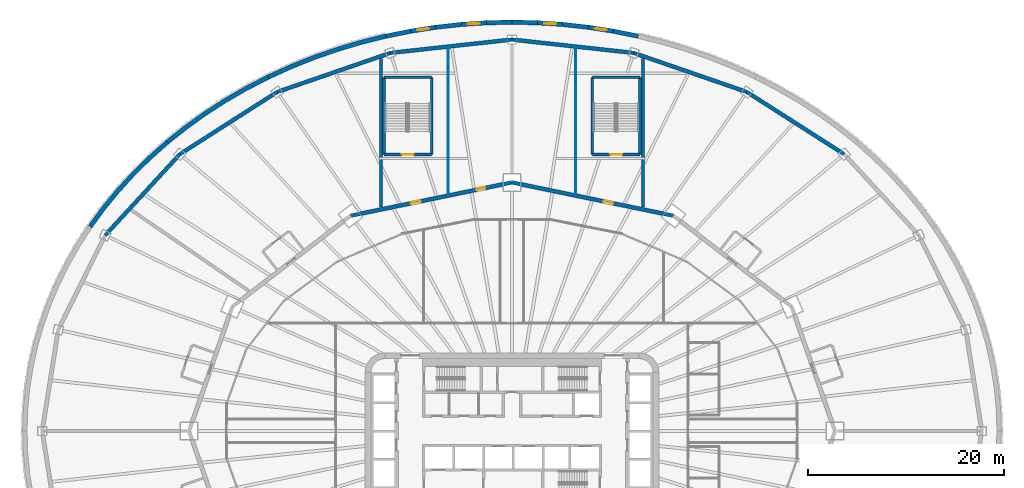
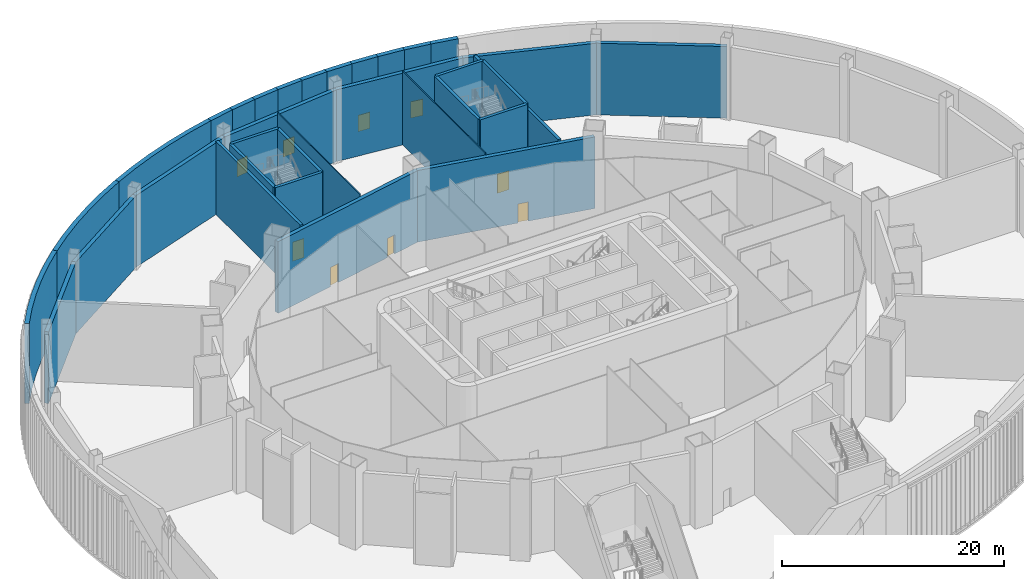
# One storey, part 13 of 35: 34 walls, 5 doors, 4 windows, 9 openings.
"""IFC4 building model written with IfcOpenShell, lengths in metres."""

from ifc_helpers import new_model, si_unit, direction, frame, frame_2d, origin, place, context, subcontext, project, spatial, polyline, rectangle, outline, extrude, material, layer, layer_set, type_object, element, fill, save


model = new_model("IFC4")

# Units and contexts
model_context = context("Model", 3, precision=1e-05, world=origin(), true_north=direction((0.0, 1.0)))
body_context = subcontext(model_context, "Body", "Model", "MODEL_VIEW")
ifc_project = project(units=[si_unit("LENGTHUNIT", "METRE"), si_unit("AREAUNIT", "SQUARE_METRE"), si_unit("VOLUMEUNIT", "CUBIC_METRE"), si_unit("PLANEANGLEUNIT", "RADIAN"), si_unit("MASSUNIT", "GRAM", prefix="KILO")], contexts=[model_context])

# Site, building, storey
site_placement = place(None, origin())
site = spatial("IfcSite", under=ifc_project, at=site_placement, CompositionType="ELEMENT")
building_placement = place(site_placement, origin())
building = spatial("IfcBuilding", under=site, at=building_placement, Name="Sahrelin Media Tower", CompositionType="ELEMENT")
storey_placement = place(building_placement, frame((0.0, 0.0, 17.0)))
storey = spatial("IfcBuildingStorey", under=building, at=storey_placement, Name="L02", CompositionType="ELEMENT", Elevation=17.0)

# Walls
ifc_material_1 = material(Name="Fire-rated gypsum board partition")
ifc_layer_1 = layer(ifc_material_1, 0.300048828125)
ifc_layer_set_1 = layer_set([ifc_layer_1], Name="Fire-rated partition 300")
wall_type_1 = type_object("IfcWallType", Name="Fire-rated partition 300", PredefinedType="PARTITIONING", material=ifc_layer_set_1)
for number, where, z_axis, x_axis, name in (
    (1, (13.39990234375, 22.87158203125, 0.0), (0.0, 0.0, 1.0), (0.0, 1.0, 0.0), "Wall"),
    (2, (-13.39990234375, 22.87158203125, 0.0), (0.0, 0.0, 1.0), (0.0, 1.0, 0.0), "Wall"),
):
    element("IfcWall", number, at=place(storey_placement, frame(where, z_axis=z_axis, x_axis=x_axis)), inside=storey, type_object=wall_type_1, Name=name, PredefinedType="PARTITIONING", context=body_context, shape_type="SweptSolid", body=[
        extrude(rectangle(XDim=15.216796875, YDim=0.300048828125, at=frame_2d((7.6083984375, 0.0))), origin(), (0.0, 0.0, 1.0), 8.02587890625),
    ])
ifc_layer_2 = layer(ifc_material_1, 0.39990234375)
ifc_layer_set_2 = layer_set([ifc_layer_2], Name="Fire-rated partition 400")
wall_type_2 = type_object("IfcWallType", Name="Fire-rated partition 400", PredefinedType="PARTITIONING", material=ifc_layer_set_2)
wall_1_placement = place(storey_placement, frame((33.941162109375, 28.2841796875, 0.0), z_axis=(0.0, 0.0, 1.0), x_axis=(-0.842479506869, 0.538728392147, 0.0)))
element("IfcWall", 3, at=wall_1_placement, inside=storey, type_object=wall_type_2, Name="Wall", PredefinedType="PARTITIONING", context=body_context, shape_type="SweptSolid", body=[
    extrude(rectangle(XDim=11.7998046875, YDim=0.39990234375, at=frame_2d((5.89990234375, 0.0))), origin(), (0.0, 0.0, 1.0), 7.876953125),
])
wall_2_placement = place(storey_placement, frame((24.0, 34.64111328125, 0.0), z_axis=(0.0, 0.0, 1.0), x_axis=(-0.94527485301, 0.326275117449, 0.0)))
element("IfcWall", 4, at=wall_2_placement, inside=storey, type_object=wall_type_2, Name="Wall", PredefinedType="PARTITIONING", context=body_context, shape_type="SweptSolid", body=[
    extrude(rectangle(XDim=12.246826171875, YDim=0.39990234375, at=frame_2d((6.12353515625, 0.0))), origin(), (0.0, 0.0, 1.0), 7.876953125),
])
for number, where, z_axis, x_axis, name in (
    (5, (12.42333984375, 38.636962890625, 0.0), (0.0, 0.0, 1.0), (-0.994035016934, 0.109061382297, 0.0), "Wall"),
    (6, (0.0, 40.0, 0.0), (0.0, 0.0, 1.0), (-0.994035016934, -0.109061382297, 0.0), "Wall"),
):
    element("IfcWall", number, at=place(storey_placement, frame(where, z_axis=z_axis, x_axis=x_axis)), inside=storey, type_object=wall_type_2, Name=name, PredefinedType="PARTITIONING", context=body_context, shape_type="SweptSolid", body=[
        extrude(rectangle(XDim=12.497802734375, YDim=0.39990234375, at=frame_2d((6.2490234375, 0.0))), origin(), (0.0, 0.0, 1.0), 7.876953125),
    ])
wall_3_placement = place(storey_placement, frame((-12.42333984375, 38.636962890625, 0.0), z_axis=(0.0, 0.0, 1.0), x_axis=(-0.94527485301, -0.326275117449, 0.0)))
element("IfcWall", 7, at=wall_3_placement, inside=storey, type_object=wall_type_2, Name="Wall", PredefinedType="PARTITIONING", context=body_context, shape_type="SweptSolid", body=[
    extrude(rectangle(XDim=12.246826171875, YDim=0.39990234375, at=frame_2d((6.12353515625, 0.0))), origin(), (0.0, 0.0, 1.0), 7.876953125),
])
wall_4_placement = place(storey_placement, frame((-24.0, 34.64111328125, 0.0), z_axis=(0.0, 0.0, 1.0), x_axis=(-0.842479506869, -0.538728392147, 0.0)))
element("IfcWall", 8, at=wall_4_placement, inside=storey, type_object=wall_type_2, Name="Wall", PredefinedType="PARTITIONING", context=body_context, shape_type="SweptSolid", body=[
    extrude(rectangle(XDim=11.7998046875, YDim=0.39990234375, at=frame_2d((5.89990234375, 0.0))), origin(), (0.0, 0.0, 1.0), 7.876953125),
])
wall_5_placement = place(storey_placement, frame((-33.941162109375, 28.2841796875, 0.0), z_axis=(0.0, 0.0, 1.0), x_axis=(-0.67736833065, -0.735644033914, 0.0)))
element("IfcWall", 9, at=wall_5_placement, inside=storey, type_object=wall_type_2, Name="Wall", PredefinedType="PARTITIONING", context=body_context, shape_type="SweptSolid", body=[
    extrude(rectangle(XDim=11.26123046875, YDim=0.39990234375, at=frame_2d((5.630615234375, 0.0))), origin(), (0.0, 0.0, 1.0), 7.876953125),
])

# Wall, opening, door
wall_6_placement = place(storey_placement, frame((16.5, 21.9970703125, 0.0), z_axis=(0.0, 0.0, 1.0), x_axis=(-0.979389305257, 0.201981654484, 0.0)))
wall_6 = element("IfcWall", 10, at=wall_6_placement, inside=storey, type_object=wall_type_2, Name="Wall", PredefinedType="PARTITIONING", context=body_context, shape_type="SweptSolid", body=[
    extrude(rectangle(XDim=16.84716796875, YDim=0.39990234375, at=frame_2d((8.423583984375, 0.0))), origin(), (0.0, 0.0, 1.0), 7.8681640625),
])
opening_1_placement = place(wall_6_placement, frame((6.300048828125, 0.0, 0.0)))
opening_1 = element("IfcOpeningElement", 11, at=opening_1_placement, cuts=wall_6, Name="Opening L02-D27", PredefinedType="OPENING", context=body_context, shape_type="SweptSolid", body=[
    extrude(rectangle(XDim=1.0, YDim=2.10009765625, at=frame_2d((0.5, 1.050048828125))), frame((0.0, 0.199951171875, 0.0), z_axis=(0.0, -1.0, 0.0), x_axis=(1.0, 0.0, 0.0)), (0.0, 0.0, 1.0), 0.39990234375),
])
ifc_material_2 = material(Name="Steel fire door leaf", Category="steel")
door_type_1 = type_object("IfcDoorType", Name="Lobby door 1000 x 2100 EI 60", OperationType="NOTDEFINED", PredefinedType="DOOR", material=ifc_material_2)
door_1_placement = place(opening_1_placement, origin())
door_1 = element("IfcDoor", 12, at=door_1_placement, inside=storey, type_object=door_type_1, Name="Lobby door", OperationType="SINGLE_SWING_LEFT", OverallHeight=2.10009765625, OverallWidth=1.0, PredefinedType="DOOR", context=body_context, shape_type="SweptSolid", body=[
    extrude(rectangle(XDim=1.0, YDim=2.10009765625, at=frame_2d((0.5, 1.050048828125))), frame((0.0, 0.02490234375, 0.0), z_axis=(0.0, -1.0, 0.0), x_axis=(1.0, 0.0, 0.0)), (0.0, 0.0, 1.0), 0.050048828125),
])
fill(opening_1, door_1)

# Wall, openings, doors
wall_7_placement = place(storey_placement, frame((0.0, 25.39990234375, 0.0), z_axis=(0.0, 0.0, 1.0), x_axis=(-0.979389305257, -0.201981654484, 0.0)))
wall_7 = element("IfcWall", 13, at=wall_7_placement, inside=storey, type_object=wall_type_2, Name="Wall", PredefinedType="PARTITIONING", context=body_context, shape_type="SweptSolid", body=[
    extrude(rectangle(XDim=16.84716796875, YDim=0.39990234375, at=frame_2d((8.423583984375, 0.0))), origin(), (0.0, 0.0, 1.0), 7.8681640625),
])
opening_2_placement = place(wall_7_placement, frame((9.550048828125, 0.0, 0.0)))
opening_2 = element("IfcOpeningElement", 14, at=opening_2_placement, cuts=wall_7, Name="Opening L02-D26", PredefinedType="OPENING", context=body_context, shape_type="SweptSolid", body=[
    extrude(rectangle(XDim=1.0, YDim=2.10009765625, at=frame_2d((0.5, 1.050048828125))), frame((0.0, 0.199951171875, 0.0), z_axis=(0.0, -1.0, 0.0), x_axis=(1.0, 0.0, 0.0)), (0.0, 0.0, 1.0), 0.39990234375),
])
opening_3_placement = place(wall_7_placement, frame((2.800048828125, 0.0, 0.0)))
opening_3 = element("IfcOpeningElement", 15, at=opening_3_placement, cuts=wall_7, Name="Opening L02-D33", PredefinedType="OPENING", context=body_context, shape_type="SweptSolid", body=[
    extrude(rectangle(XDim=0.89990234375, YDim=2.10009765625, at=frame_2d((0.449951171875, 1.050048828125))), frame((0.0, 0.199951171875, 0.0), z_axis=(0.0, -1.0, 0.0), x_axis=(1.0, 0.0, 0.0)), (0.0, 0.0, 1.0), 0.39990234375),
])
door_2_placement = place(opening_2_placement, origin())
door_2 = element("IfcDoor", 16, at=door_2_placement, inside=storey, type_object=door_type_1, Name="Lobby door", OperationType="SINGLE_SWING_RIGHT", OverallHeight=2.10009765625, OverallWidth=1.0, PredefinedType="DOOR", context=body_context, shape_type="SweptSolid", body=[
    extrude(rectangle(XDim=1.0, YDim=2.10009765625, at=frame_2d((0.5, 1.050048828125))), frame((0.0, 0.02490234375, 0.0), z_axis=(0.0, -1.0, 0.0), x_axis=(1.0, 0.0, 0.0)), (0.0, 0.0, 1.0), 0.050048828125),
])
fill(opening_2, door_2)
ifc_material_3 = material(Name="Timber door leaf", Category="wood")
door_type_2 = type_object("IfcDoorType", Name="Single door 900 x 2100", OperationType="NOTDEFINED", PredefinedType="DOOR", material=ifc_material_3)
door_3_placement = place(opening_3_placement, origin())
door_3 = element("IfcDoor", 17, at=door_3_placement, inside=storey, type_object=door_type_2, Name="Single door", OperationType="SINGLE_SWING_LEFT", OverallHeight=2.10009765625, OverallWidth=0.89990234375, PredefinedType="DOOR", context=body_context, shape_type="SweptSolid", body=[
    extrude(rectangle(XDim=0.89990234375, YDim=2.10009765625, at=frame_2d((0.449951171875, 1.050048828125))), frame((0.0, 0.02490234375, 0.0), z_axis=(0.0, -1.0, 0.0), x_axis=(1.0, 0.0, 0.0)), (0.0, 0.0, 1.0), 0.050048828125),
])
fill(opening_3, door_3)

# Walls
ifc_material_4 = material(Name="Gypsum board partition")
ifc_layer_3 = layer(ifc_material_4, 0.10009765625)
ifc_layer_set_3 = layer_set([ifc_layer_3], Name="Partition 100")
wall_type_3 = type_object("IfcWallType", Name="Partition 100", PredefinedType="PARTITIONING", material=ifc_layer_set_3)
for number, where, z_axis, x_axis, name in (
    (18, (6.5, 24.27392578125, 0.0), (0.0, 0.0, 1.0), (0.0, 1.0, 0.0), "Wall"),
    (19, (-6.5, 24.27392578125, 0.0), (0.0, 0.0, 1.0), (0.0, 1.0, 0.0), "Wall"),
):
    element("IfcWall", number, at=place(storey_placement, frame(where, z_axis=z_axis, x_axis=x_axis)), inside=storey, type_object=wall_type_3, Name=name, PredefinedType="PARTITIONING", context=body_context, shape_type="SweptSolid", body=[
        extrude(rectangle(XDim=14.811767578125, YDim=0.10009765625, at=frame_2d((7.40576171875, 0.0))), origin(), (0.0, 0.0, 1.0), 8.10205078125),
    ])

# Wall, opening, door
ifc_material_5 = material(Name="Concrete C60/75", Category="concrete")
ifc_layer_4 = layer(ifc_material_5, 0.300048828125)
ifc_layer_set_4 = layer_set([ifc_layer_4], Name="Stair enclosure wall 300")
wall_type_4 = type_object("IfcWallType", Name="Stair enclosure wall 300", PredefinedType="SOLIDWALL", material=ifc_layer_set_4)
wall_8_placement = place(storey_placement, frame((13.10009765625, 28.25, 0.0), z_axis=(0.0, 0.0, 1.0), x_axis=(-1.0, 0.0, 0.0)))
wall_8 = element("IfcWall", 20, at=wall_8_placement, inside=storey, type_object=wall_type_4, Name="Stair PS1", PredefinedType="SOLIDWALL", context=body_context, shape_type="SweptSolid", body=[
    extrude(rectangle(XDim=4.900146484375, YDim=0.300048828125, at=frame_2d((2.4501953125, 0.0))), origin(), (0.0, 0.0, 1.0), 8.800048828125),
])
opening_4_placement = place(wall_8_placement, frame((1.85009765625, 0.0, 0.0)))
opening_4 = element("IfcOpeningElement", 21, at=opening_4_placement, cuts=wall_8, Name="Opening L02-D28", PredefinedType="OPENING", context=body_context, shape_type="SweptSolid", body=[
    extrude(rectangle(XDim=1.199951171875, YDim=2.10009765625, at=frame_2d((0.60009765625, 1.050048828125))), frame((0.0, 0.14990234375, 0.0), z_axis=(0.0, -1.0, 0.0), x_axis=(1.0, 0.0, 0.0)), (0.0, 0.0, 1.0), 0.300048828125),
])
door_type_3 = type_object("IfcDoorType", Name="Stair door 1200 x 2100 EI 120", OperationType="NOTDEFINED", PredefinedType="DOOR", material=ifc_material_2)
door_4_placement = place(opening_4_placement, origin())
door_4 = element("IfcDoor", 22, at=door_4_placement, inside=storey, type_object=door_type_3, Name="Stair door", OperationType="SINGLE_SWING_RIGHT", OverallHeight=2.10009765625, OverallWidth=1.199951171875, PredefinedType="DOOR", context=body_context, shape_type="SweptSolid", body=[
    extrude(rectangle(XDim=1.199951171875, YDim=2.10009765625, at=frame_2d((0.60009765625, 1.050048828125))), frame((0.0, 0.02490234375, 0.0), z_axis=(0.0, -1.0, 0.0), x_axis=(1.0, 0.0, 0.0)), (0.0, 0.0, 1.0), 0.050048828125),
])
fill(opening_4, door_4)

# Walls
wall_9_placement = place(storey_placement, frame((8.199951171875, 28.25, 0.0), z_axis=(0.0, 0.0, 1.0), x_axis=(0.0, 1.0, 0.0)))
element("IfcWall", 23, at=wall_9_placement, inside=storey, type_object=wall_type_4, Name="Stair PS1", PredefinedType="SOLIDWALL", context=body_context, shape_type="SweptSolid", body=[
    extrude(rectangle(XDim=7.89990234375, YDim=0.300048828125, at=frame_2d((3.949951171875, 0.0))), origin(), (0.0, 0.0, 1.0), 8.800048828125),
])
wall_10_placement = place(storey_placement, frame((8.199951171875, 36.14990234375, 0.0), z_axis=(0.0, 0.0, 1.0), x_axis=(1.0, 0.0, 0.0)))
element("IfcWall", 24, at=wall_10_placement, inside=storey, type_object=wall_type_4, Name="Stair PS1", PredefinedType="SOLIDWALL", context=body_context, shape_type="SweptSolid", body=[
    extrude(rectangle(XDim=4.900146484375, YDim=0.300048828125, at=frame_2d((2.4501953125, 0.0))), origin(), (0.0, 0.0, 1.0), 8.800048828125),
])
wall_11_placement = place(storey_placement, frame((13.10009765625, 36.14990234375, 0.0), z_axis=(0.0, 0.0, 1.0), x_axis=(0.0, -1.0, 0.0)))
element("IfcWall", 25, at=wall_11_placement, inside=storey, type_object=wall_type_4, Name="Stair PS1", PredefinedType="SOLIDWALL", context=body_context, shape_type="SweptSolid", body=[
    extrude(rectangle(XDim=7.89990234375, YDim=0.300048828125, at=frame_2d((3.949951171875, 0.0))), origin(), (0.0, 0.0, 1.0), 8.800048828125),
])

# Wall, opening, door
wall_12_placement = place(storey_placement, frame((-8.199951171875, 28.25, 0.0), z_axis=(0.0, 0.0, 1.0), x_axis=(-1.0, 0.0, 0.0)))
wall_12 = element("IfcWall", 26, at=wall_12_placement, inside=storey, type_object=wall_type_4, Name="Stair PS2", PredefinedType="SOLIDWALL", context=body_context, shape_type="SweptSolid", body=[
    extrude(rectangle(XDim=4.900146484375, YDim=0.300048828125, at=frame_2d((2.4501953125, 0.0))), origin(), (0.0, 0.0, 1.0), 8.800048828125),
])
opening_5_placement = place(wall_12_placement, frame((1.85009765625, 0.0, 0.0)))
opening_5 = element("IfcOpeningElement", 27, at=opening_5_placement, cuts=wall_12, Name="Opening L02-D29", PredefinedType="OPENING", context=body_context, shape_type="SweptSolid", body=[
    extrude(rectangle(XDim=1.199951171875, YDim=2.10009765625, at=frame_2d((0.60009765625, 1.050048828125))), frame((0.0, 0.14990234375, 0.0), z_axis=(0.0, -1.0, 0.0), x_axis=(1.0, 0.0, 0.0)), (0.0, 0.0, 1.0), 0.300048828125),
])
door_5_placement = place(opening_5_placement, origin())
door_5 = element("IfcDoor", 28, at=door_5_placement, inside=storey, type_object=door_type_3, Name="Stair door", OperationType="SINGLE_SWING_RIGHT", OverallHeight=2.10009765625, OverallWidth=1.199951171875, PredefinedType="DOOR", context=body_context, shape_type="SweptSolid", body=[
    extrude(rectangle(XDim=1.199951171875, YDim=2.10009765625, at=frame_2d((0.60009765625, 1.050048828125))), frame((0.0, 0.02490234375, 0.0), z_axis=(0.0, -1.0, 0.0), x_axis=(1.0, 0.0, 0.0)), (0.0, 0.0, 1.0), 0.050048828125),
])
fill(opening_5, door_5)

# Walls
wall_13_placement = place(storey_placement, frame((-13.10009765625, 28.25, 0.0), z_axis=(0.0, 0.0, 1.0), x_axis=(0.0, 1.0, 0.0)))
element("IfcWall", 29, at=wall_13_placement, inside=storey, type_object=wall_type_4, Name="Stair PS2", PredefinedType="SOLIDWALL", context=body_context, shape_type="SweptSolid", body=[
    extrude(rectangle(XDim=7.89990234375, YDim=0.300048828125, at=frame_2d((3.949951171875, 0.0))), origin(), (0.0, 0.0, 1.0), 8.800048828125),
])
wall_14_placement = place(storey_placement, frame((-13.10009765625, 36.14990234375, 0.0), z_axis=(0.0, 0.0, 1.0), x_axis=(1.0, 0.0, 0.0)))
element("IfcWall", 30, at=wall_14_placement, inside=storey, type_object=wall_type_4, Name="Stair PS2", PredefinedType="SOLIDWALL", context=body_context, shape_type="SweptSolid", body=[
    extrude(rectangle(XDim=4.900146484375, YDim=0.300048828125, at=frame_2d((2.4501953125, 0.0))), origin(), (0.0, 0.0, 1.0), 8.800048828125),
])
wall_15_placement = place(storey_placement, frame((-8.199951171875, 36.14990234375, 0.0), z_axis=(0.0, 0.0, 1.0), x_axis=(0.0, -1.0, 0.0)))
element("IfcWall", 31, at=wall_15_placement, inside=storey, type_object=wall_type_4, Name="Stair PS2", PredefinedType="SOLIDWALL", context=body_context, shape_type="SweptSolid", body=[
    extrude(rectangle(XDim=7.89990234375, YDim=0.300048828125, at=frame_2d((3.949951171875, 0.0))), origin(), (0.0, 0.0, 1.0), 8.800048828125),
])
ifc_material_6 = material(Name="Concrete C40/50", Category="concrete")
ifc_layer_5 = layer(ifc_material_6, 0.449951171875)
ifc_layer_set_5 = layer_set([ifc_layer_5], Name="Studio facade wall")
wall_type_5 = type_object("IfcWallType", Name="Studio facade wall", PredefinedType="SOLIDWALL", material=ifc_layer_set_5)
wall_16_placement = place(storey_placement, frame((12.896484375, 40.348388671875, 0.0), z_axis=(0.0, 0.0, 1.0), x_axis=(-0.980275735323, 0.197634720473, 0.0)))
element("IfcWall", 32, at=wall_16_placement, inside=storey, type_object=wall_type_5, Name="Production office facade wall L02-P05-1", PredefinedType="SOLIDWALL", context=body_context, shape_type="SweptSolid", body=[
    extrude(rectangle(XDim=2.5966796875, YDim=0.449951171875, at=frame_2d((1.29833984375, 0.0))), origin(), (0.0, 0.0, 1.0), 8.800048828125),
])

# Wall, opening, window
wall_17_placement = place(storey_placement, frame((10.361083984375, 40.85986328125, 0.0), z_axis=(0.0, 0.0, 1.0), x_axis=(-0.98810254681, 0.153796479115, 0.0)))
wall_17 = element("IfcWall", 33, at=wall_17_placement, inside=storey, type_object=wall_type_5, Name="Production office facade wall L02-P05-2", PredefinedType="SOLIDWALL", context=body_context, shape_type="SweptSolid", body=[
    extrude(rectangle(XDim=2.60498046875, YDim=0.449951171875, at=frame_2d((1.302490234375, 0.0))), origin(), (0.0, 0.0, 1.0), 8.800048828125),
])
opening_6_placement = place(wall_17_placement, frame((0.702392578125, 0.0, 1.0)))
opening_6 = element("IfcOpeningElement", 34, at=opening_6_placement, cuts=wall_17, Name="Opening WS1", PredefinedType="OPENING", context=body_context, shape_type="SweptSolid", body=[
    extrude(rectangle(XDim=1.199951171875, YDim=1.800048828125, at=frame_2d((0.60009765625, 0.89990234375))), frame((0.0, 0.22509765625, 0.0), z_axis=(0.0, -1.0, 0.0), x_axis=(1.0, 0.0, 0.0)), (0.0, 0.0, 1.0), 0.449951171875),
])
ifc_material_7 = material(Name="Clear low-iron glazing", Category="glass")
window_type = type_object("IfcWindowType", Name="Production office window 1200x1800", PartitioningType="SINGLE_PANEL", PredefinedType="WINDOW", material=ifc_material_7)
window_1_placement = place(opening_6_placement, origin())
window_1 = element("IfcWindow", 35, at=window_1_placement, inside=storey, type_object=window_type, Name="L02:WIN2:L02-P05", OverallHeight=1.800048828125, OverallWidth=1.199951171875, PartitioningType="SINGLE_PANEL", PredefinedType="WINDOW", context=body_context, shape_type="SweptSolid", body=[
    extrude(rectangle(XDim=1.199951171875, YDim=1.800048828125, at=frame_2d((0.60009765625, 0.89990234375))), frame((0.0, 0.030029296875, 0.0), z_axis=(0.0, -1.0, 0.0), x_axis=(1.0, 0.0, 0.0)), (0.0, 0.0, 1.0), 0.06005859375),
])
fill(opening_6, window_1)

# Wall
wall_18_placement = place(storey_placement, frame((7.797119140625, 41.25927734375, 0.0), z_axis=(0.0, 0.0, 1.0), x_axis=(-0.993937205813, 0.109949219644, 0.0)))
element("IfcWall", 36, at=wall_18_placement, inside=storey, type_object=wall_type_5, Name="Production office facade wall L02-P05-3", PredefinedType="SOLIDWALL", context=body_context, shape_type="SweptSolid", body=[
    extrude(rectangle(XDim=2.611328125, YDim=0.449951171875, at=frame_2d((1.3056640625, 0.0))), origin(), (0.0, 0.0, 1.0), 8.800048828125),
])

# Wall, opening, window
wall_19_placement = place(storey_placement, frame((5.211669921875, 41.54541015625, 0.0), z_axis=(0.0, 0.0, 1.0), x_axis=(-0.997819718638, 0.065998553754, 0.0)))
wall_19 = element("IfcWall", 37, at=wall_19_placement, inside=storey, type_object=wall_type_5, Name="Production office facade wall L02-P05-4", PredefinedType="SOLIDWALL", context=body_context, shape_type="SweptSolid", body=[
    extrude(rectangle(XDim=2.615234375, YDim=0.449951171875, at=frame_2d((1.3076171875, 0.0))), origin(), (0.0, 0.0, 1.0), 8.800048828125),
])
opening_7_placement = place(wall_19_placement, frame((0.70751953125, 0.0, 1.0)))
opening_7 = element("IfcOpeningElement", 38, at=opening_7_placement, cuts=wall_19, Name="Opening WS1", PredefinedType="OPENING", context=body_context, shape_type="SweptSolid", body=[
    extrude(rectangle(XDim=1.199951171875, YDim=1.800048828125, at=frame_2d((0.60009765625, 0.89990234375))), frame((0.0, 0.22509765625, 0.0), z_axis=(0.0, -1.0, 0.0), x_axis=(1.0, 0.0, 0.0)), (0.0, 0.0, 1.0), 0.449951171875),
])
window_2_placement = place(opening_7_placement, origin())
window_2 = element("IfcWindow", 39, at=window_2_placement, inside=storey, type_object=window_type, Name="L02:WIN4:L02-P05", OverallHeight=1.800048828125, OverallWidth=1.199951171875, PartitioningType="SINGLE_PANEL", PredefinedType="WINDOW", context=body_context, shape_type="SweptSolid", body=[
    extrude(rectangle(XDim=1.199951171875, YDim=1.800048828125, at=frame_2d((0.60009765625, 0.89990234375))), frame((0.0, 0.030029296875, 0.0), z_axis=(0.0, -1.0, 0.0), x_axis=(1.0, 0.0, 0.0)), (0.0, 0.0, 1.0), 0.06005859375),
])
fill(opening_7, window_2)

# Walls
for number, where, z_axis, x_axis, name in (
    (40, (2.61181640625, 41.717529296875, 0.0), (0.0, 0.0, 1.0), (-0.999757669199, 0.022013697512, 0.0), "Production office facade wall L02-P05-5"),
    (41, (0.0048828125, 41.775146484375, 0.0), (0.0, 0.0, 1.0), (-0.999757669199, -0.022013697512, 0.0), "Production office facade wall L02-P06-1"),
):
    element("IfcWall", number, at=place(storey_placement, frame(where, z_axis=z_axis, x_axis=x_axis)), inside=storey, type_object=wall_type_5, Name=name, PredefinedType="SOLIDWALL", context=body_context, shape_type="SweptSolid", body=[
        extrude(rectangle(XDim=2.617431640625, YDim=0.449951171875, at=frame_2d((1.30859375, 0.0))), origin(), (0.0, 0.0, 1.0), 8.800048828125),
    ])

# Wall, opening, window
wall_20_placement = place(storey_placement, frame((-2.60205078125, 41.718017578125, 0.0), z_axis=(0.0, 0.0, 1.0), x_axis=(-0.997819718638, -0.065998553754, 0.0)))
wall_20 = element("IfcWall", 42, at=wall_20_placement, inside=storey, type_object=wall_type_5, Name="Production office facade wall L02-P06-2", PredefinedType="SOLIDWALL", context=body_context, shape_type="SweptSolid", body=[
    extrude(rectangle(XDim=2.615234375, YDim=0.449951171875, at=frame_2d((1.3076171875, 0.0))), origin(), (0.0, 0.0, 1.0), 8.800048828125),
])
opening_8_placement = place(wall_20_placement, frame((0.70751953125, 0.0, 1.0)))
opening_8 = element("IfcOpeningElement", 43, at=opening_8_placement, cuts=wall_20, Name="Opening WS1", PredefinedType="OPENING", context=body_context, shape_type="SweptSolid", body=[
    extrude(rectangle(XDim=1.199951171875, YDim=1.800048828125, at=frame_2d((0.60009765625, 0.89990234375))), frame((0.0, 0.22509765625, 0.0), z_axis=(0.0, -1.0, 0.0), x_axis=(1.0, 0.0, 0.0)), (0.0, 0.0, 1.0), 0.449951171875),
])
window_3_placement = place(opening_8_placement, origin())
window_3 = element("IfcWindow", 44, at=window_3_placement, inside=storey, type_object=window_type, Name="L02:WIN2:L02-P06", OverallHeight=1.800048828125, OverallWidth=1.199951171875, PartitioningType="SINGLE_PANEL", PredefinedType="WINDOW", context=body_context, shape_type="SweptSolid", body=[
    extrude(rectangle(XDim=1.199951171875, YDim=1.800048828125, at=frame_2d((0.60009765625, 0.89990234375))), frame((0.0, 0.030029296875, 0.0), z_axis=(0.0, -1.0, 0.0), x_axis=(1.0, 0.0, 0.0)), (0.0, 0.0, 1.0), 0.06005859375),
])
fill(opening_8, window_3)

# Wall
wall_21_placement = place(storey_placement, frame((-5.20166015625, 41.54638671875, 0.0), z_axis=(0.0, 0.0, 1.0), x_axis=(-0.993937205813, -0.109949219644, 0.0)))
element("IfcWall", 45, at=wall_21_placement, inside=storey, type_object=wall_type_5, Name="Production office facade wall L02-P06-3", PredefinedType="SOLIDWALL", context=body_context, shape_type="SweptSolid", body=[
    extrude(rectangle(XDim=2.611328125, YDim=0.449951171875, at=frame_2d((1.3056640625, 0.0))), origin(), (0.0, 0.0, 1.0), 8.800048828125),
])

# Wall, opening, window
wall_22_placement = place(storey_placement, frame((-7.787109375, 41.260498046875, 0.0), z_axis=(0.0, 0.0, 1.0), x_axis=(-0.98810254681, -0.153796479115, 0.0)))
wall_22 = element("IfcWall", 46, at=wall_22_placement, inside=storey, type_object=wall_type_5, Name="Production office facade wall L02-P06-4", PredefinedType="SOLIDWALL", context=body_context, shape_type="SweptSolid", body=[
    extrude(rectangle(XDim=2.60498046875, YDim=0.449951171875, at=frame_2d((1.302490234375, 0.0))), origin(), (0.0, 0.0, 1.0), 8.800048828125),
])
opening_9_placement = place(wall_22_placement, frame((0.702392578125, 0.0, 1.0)))
opening_9 = element("IfcOpeningElement", 47, at=opening_9_placement, cuts=wall_22, Name="Opening WS1", PredefinedType="OPENING", context=body_context, shape_type="SweptSolid", body=[
    extrude(rectangle(XDim=1.199951171875, YDim=1.800048828125, at=frame_2d((0.60009765625, 0.89990234375))), frame((0.0, 0.22509765625, 0.0), z_axis=(0.0, -1.0, 0.0), x_axis=(1.0, 0.0, 0.0)), (0.0, 0.0, 1.0), 0.449951171875),
])
window_4_placement = place(opening_9_placement, origin())
window_4 = element("IfcWindow", 48, at=window_4_placement, inside=storey, type_object=window_type, Name="L02:WIN4:L02-P06", OverallHeight=1.800048828125, OverallWidth=1.199951171875, PartitioningType="SINGLE_PANEL", PredefinedType="WINDOW", context=body_context, shape_type="SweptSolid", body=[
    extrude(rectangle(XDim=1.199951171875, YDim=1.800048828125, at=frame_2d((0.60009765625, 0.89990234375))), frame((0.0, 0.030029296875, 0.0), z_axis=(0.0, -1.0, 0.0), x_axis=(1.0, 0.0, 0.0)), (0.0, 0.0, 1.0), 0.06005859375),
])
fill(opening_9, window_4)

# Walls
wall_23_placement = place(storey_placement, frame((-10.35107421875, 40.861572265625, 0.0), z_axis=(0.0, 0.0, 1.0), x_axis=(-0.980275735323, -0.197634720473, 0.0)))
element("IfcWall", 49, at=wall_23_placement, inside=storey, type_object=wall_type_5, Name="Production office facade wall L02-P06-5", PredefinedType="SOLIDWALL", context=body_context, shape_type="SweptSolid", body=[
    extrude(rectangle(XDim=2.5966796875, YDim=0.449951171875, at=frame_2d((1.29833984375, 0.0))), origin(), (0.0, 0.0, 1.0), 8.800048828125),
])
placement = place(storey_placement, origin())
element("IfcWall", 50, at=placement, inside=storey, type_object=wall_type_5, Name="Studio facade wall L02-P07", PredefinedType="SOLIDWALL", context=body_context, shape_type="SweptSolid", body=[
    extrude(outline(polyline([(-12.94091796875, 40.56884765625), (-15.45068359375, 39.9443359375), (-17.91845703125, 39.21044921875), (-20.3369140625, 38.368896484375), (-22.699462890625, 37.42236328125), (-25.0, 36.373046875), (-24.8037109375, 35.96826171875), (-22.5224609375, 37.008544921875), (-20.17919921875, 37.947509765625), (-17.7802734375, 38.781982421875), (-15.332275390625, 39.51025390625), (-12.84228515625, 40.1298828125), (-12.94091796875, 40.56884765625)])), origin(), (0.0, 0.0, 1.0), 8.800048828125),
])
element("IfcWall", 51, at=placement, inside=storey, type_object=wall_type_5, Name="Studio facade wall L02-P08", PredefinedType="SOLIDWALL", context=body_context, shape_type="SweptSolid", body=[
    extrude(outline(polyline([(-25.0, 36.373046875), (-27.23193359375, 35.22412109375), (-29.389404296875, 33.978759765625), (-31.466064453125, 32.64013671875), (-33.45654296875, 31.212158203125), (-35.355224609375, 29.698486328125), (-35.06591796875, 29.35400390625), (-33.18505859375, 30.853271484375), (-31.212890625, 32.26806640625), (-29.15478515625, 33.594482421875), (-27.0166015625, 34.8291015625), (-24.8037109375, 35.96826171875), (-25.0, 36.373046875)])), origin(), (0.0, 0.0, 1.0), 8.800048828125),
])
element("IfcWall", 52, at=placement, inside=storey, type_object=wall_type_5, Name="Studio facade wall L02-P09", PredefinedType="SOLIDWALL", context=body_context, shape_type="SweptSolid", body=[
    extrude(outline(polyline([(-35.355224609375, 29.698486328125), (-37.1572265625, 28.103515625), (-38.857421875, 26.431396484375), (-40.45068359375, 24.68701171875), (-41.93359375, 22.874755859375), (-43.30126953125, 21.0), (-42.930419921875, 20.7451171875), (-41.577392578125, 22.599609375), (-40.1103515625, 24.392578125), (-38.533203125, 26.119140625), (-36.85009765625, 27.7744140625), (-35.06591796875, 29.35400390625), (-35.355224609375, 29.698486328125)])), origin(), (0.0, 0.0, 1.0), 8.800048828125),
])

save(model, "model.ifc")
